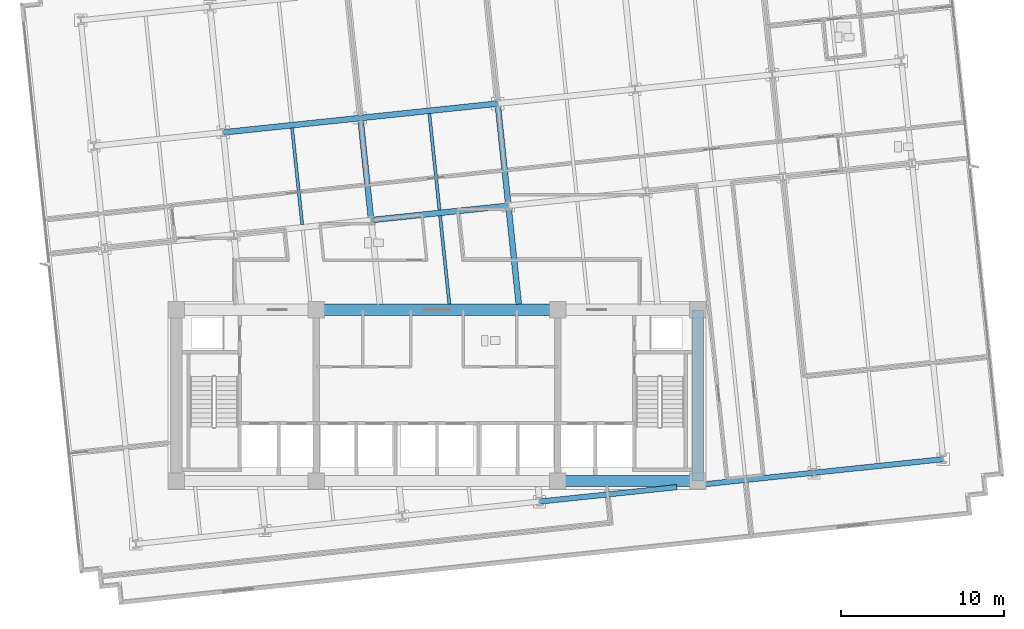
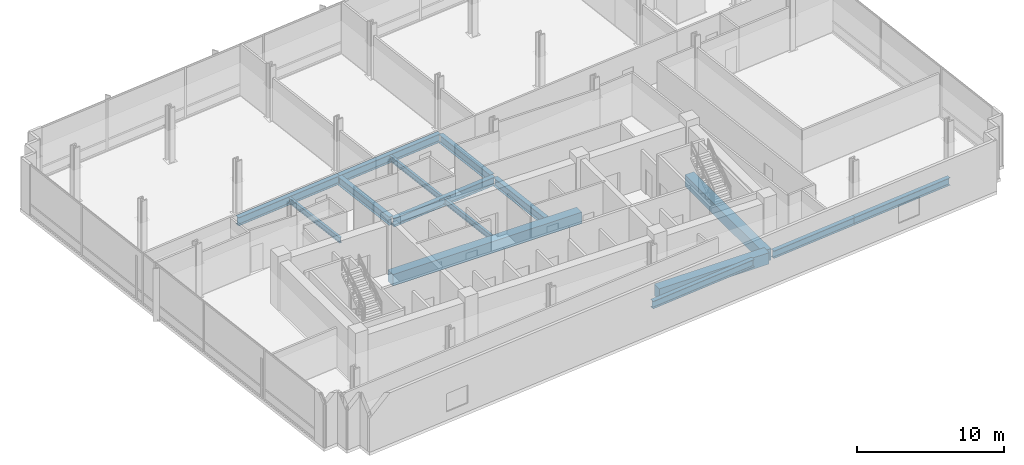
# One storey, part 5 of 20: 15 beams.
"""IFC4 building model written with IfcOpenShell, lengths in metres."""

from ifc_helpers import new_model, si_unit, direction, frame, origin, origin_2d, place, context, subcontext, project, spatial, rectangle, i_section, extrude, material, material_profile, profile_set, type_object, element, save


model = new_model("IFC4")

# Units and contexts
model_context = context("Model", 3, precision=1e-05, world=origin(), true_north=direction((0.0, 1.0)))
body_context = subcontext(model_context, "Body", "Model", "MODEL_VIEW")
ifc_project = project(units=[si_unit("LENGTHUNIT", "METRE"), si_unit("AREAUNIT", "SQUARE_METRE"), si_unit("VOLUMEUNIT", "CUBIC_METRE"), si_unit("PLANEANGLEUNIT", "RADIAN"), si_unit("MASSUNIT", "GRAM", prefix="KILO")], contexts=[model_context])

# Site, building, storey
site_placement = place(None, origin())
site = spatial("IfcSite", under=ifc_project, at=site_placement, CompositionType="ELEMENT")
building_placement = place(site_placement, origin())
building = spatial("IfcBuilding", under=site, at=building_placement, Name="Solmavex Isthmus Hotel", CompositionType="ELEMENT")
storey_placement = place(building_placement, frame((0.0, 0.0, 101.85009765625)))
storey = spatial("IfcBuildingStorey", under=building, at=storey_placement, Name="L27", CompositionType="ELEMENT", Elevation=101.85009765625)

# Beams
ifc_material_1 = material(Name="Steel ASTM A992 Grade 50", Category="steel")
ifc_material_profile_1 = material_profile(ifc_material_1, i_section(OverallWidth=0.354736328125, OverallDepth=0.695556640625, WebThickness=0.015380859375, FlangeThickness=0.02490234375, FilletRadius=0.017822265625, at=origin_2d()), Name="W27X146")
ifc_profile_set_1 = profile_set([ifc_material_profile_1], Name="Steel ASTM A992 Grade 50")
beam_type_1 = type_object("IfcBeamType", Name="BM-BG-W27X146", PredefinedType="BEAM", material=ifc_profile_set_1)
beam_1_placement = place(storey_placement, frame((-4.0390625, 3.003662109375, -0.60791015625), z_axis=(0.994523767887, 0.104510645909, 0.0), x_axis=(-0.104510645909, 0.994523767887, 0.0)))
element("IfcBeam", 1, at=beam_1_placement, inside=storey, type_object=beam_type_1, Name="Floor Girder L27-UG09", PredefinedType="BEAM", context=body_context, shape_type="SweptSolid", body=[
    extrude(i_section(OverallWidth=0.354736328125, OverallDepth=0.695556640625, WebThickness=0.015380859375, FlangeThickness=0.02490234375, FilletRadius=0.017822265625, at=origin_2d()), origin(), (0.0, 0.0, 1.0), 8.4658203125),
])
for number, where, z_axis, x_axis, name in (
    (2, (-13.1171875, 8.382080078125, -0.60791015625), (0.994521085209, 0.104536171134, 0.0), (-0.104536171134, 0.994521085209, 0.0), "Floor Girder L27-UG14"),
    (3, (-4.697509765625, 9.26708984375, -0.60791015625), (0.994521085209, 0.104536171134, 0.0), (-0.104536171134, 0.994521085209, 0.0), "Floor Girder L27-UG15"),
):
    element("IfcBeam", number, at=place(storey_placement, frame(where, z_axis=z_axis, x_axis=x_axis)), inside=storey, type_object=beam_type_1, Name=name, PredefinedType="BEAM", context=body_context, shape_type="SweptSolid", body=[
        extrude(i_section(OverallWidth=0.354736328125, OverallDepth=0.695556640625, WebThickness=0.015380859375, FlangeThickness=0.02490234375, FilletRadius=0.017822265625, at=origin_2d()), origin(), (0.0, 0.0, 1.0), 8.466064453125),
    ])
beam_2_placement = place(storey_placement, frame((-4.0576171875, 3.179931640625, -0.60791015625), z_axis=(-0.104545790518, 0.994520074048, 0.0), x_axis=(-0.994520074048, -0.104545790518, 0.0)))
element("IfcBeam", 4, at=beam_2_placement, inside=storey, type_object=beam_type_1, Name="Floor Beam L27-VG34", PredefinedType="BEAM", context=body_context, shape_type="SweptSolid", body=[
    extrude(i_section(OverallWidth=0.354736328125, OverallDepth=0.695556640625, WebThickness=0.015380859375, FlangeThickness=0.02490234375, FilletRadius=0.017822265625, at=origin_2d()), origin(), (0.0, 0.0, 1.0), 5.943115234375),
])
beam_3_placement = place(storey_placement, frame((5.01513671875, -2.14990234375, -0.60791015625), z_axis=(-0.104542482388, 0.994520421799, 0.0), x_axis=(-0.994520421799, -0.104542482388, 0.0)))
element("IfcBeam", 5, at=beam_3_placement, inside=storey, type_object=beam_type_1, Name="Floor Beam L27-VG37", PredefinedType="BEAM", context=body_context, shape_type="SweptSolid", body=[
    extrude(i_section(OverallWidth=0.354736328125, OverallDepth=0.695556640625, WebThickness=0.015380859375, FlangeThickness=0.02490234375, FilletRadius=0.017822265625, at=origin_2d()), origin(), (0.0, 0.0, 1.0), 5.894287109375),
])
beam_4_placement = place(storey_placement, frame((4.362060546875, 4.06494140625, -0.60791015625), z_axis=(-0.104545790518, 0.994520074048, 0.0), x_axis=(-0.994520074048, -0.104545790518, 0.0)))
element("IfcBeam", 6, at=beam_4_placement, inside=storey, type_object=beam_type_1, Name="Floor Beam L27-VG38", PredefinedType="BEAM", context=body_context, shape_type="SweptSolid", body=[
    extrude(i_section(OverallWidth=0.354736328125, OverallDepth=0.695556640625, WebThickness=0.015380859375, FlangeThickness=0.02490234375, FilletRadius=0.017822265625, at=origin_2d()), origin(), (0.0, 0.0, 1.0), 5.943115234375),
])
ifc_material_profile_2 = material_profile(ifc_material_1, i_section(OverallWidth=0.1904296875, OverallDepth=0.456787109375, WebThickness=0.009033203125, FlangeThickness=0.014404296875, FilletRadius=0.0126953125, at=origin_2d()), Name="W18X50")
ifc_profile_set_2 = profile_set([ifc_material_profile_2], Name="Steel ASTM A992 Grade 50")
beam_type_2 = type_object("IfcBeamType", Name="BM-BJ-W18X50", PredefinedType="JOIST", material=ifc_profile_set_2)
beam_5_placement = place(storey_placement, frame((-8.267578125, 2.737548828125, -0.488525390625), z_axis=(-0.104505160346, 0.994524344328, 0.0), x_axis=(-0.994524344328, -0.104505160346, 0.0)))
element("IfcBeam", 7, at=beam_5_placement, inside=storey, type_object=beam_type_2, Name="Secondary Floor Joist L27-J07", PredefinedType="JOIST", context=body_context, shape_type="SweptSolid", body=[
    extrude(i_section(OverallWidth=0.1904296875, OverallDepth=0.456787109375, WebThickness=0.009033203125, FlangeThickness=0.014404296875, FilletRadius=0.0126953125, at=origin_2d()), origin(), (0.0, 0.0, 1.0), 5.943115234375),
])
beam_6_placement = place(storey_placement, frame((0.7587890625, -2.14990234375, -0.488525390625), z_axis=(-0.104523862956, 0.99452237887, 0.0), x_axis=(-0.99452237887, -0.104523862956, 0.0)))
element("IfcBeam", 8, at=beam_6_placement, inside=storey, type_object=beam_type_2, Name="Secondary Floor Joist L27-J10", PredefinedType="JOIST", context=body_context, shape_type="SweptSolid", body=[
    extrude(i_section(OverallWidth=0.1904296875, OverallDepth=0.456787109375, WebThickness=0.009033203125, FlangeThickness=0.014404296875, FilletRadius=0.0126953125, at=origin_2d()), origin(), (0.0, 0.0, 1.0), 5.44921875),
])
beam_7_placement = place(storey_placement, frame((0.152099609375, 3.62255859375, -0.488525390625), z_axis=(-0.104505160346, 0.994524344328, 0.0), x_axis=(-0.994524344328, -0.104505160346, 0.0)))
element("IfcBeam", 9, at=beam_7_placement, inside=storey, type_object=beam_type_2, Name="Secondary Floor Joist L27-J11", PredefinedType="JOIST", context=body_context, shape_type="SweptSolid", body=[
    extrude(i_section(OverallWidth=0.1904296875, OverallDepth=0.456787109375, WebThickness=0.009033203125, FlangeThickness=0.014404296875, FilletRadius=0.0126953125, at=origin_2d()), origin(), (0.0, 0.0, 1.0), 5.943115234375),
])
ifc_material_2 = material(Name="Concrete C60/75", Category="concrete")
ifc_material_profile_3 = material_profile(ifc_material_2, rectangle(XDim=0.699951171875, YDim=0.949951171875, at=origin_2d()), Name="RC700X950")
ifc_profile_set_3 = profile_set([ifc_material_profile_3], Name="Concrete C60/75")
beam_type_3 = type_object("IfcBeamType", Name="BM-CB-700X950", PredefinedType="BEAM", material=ifc_profile_set_3)
beam_8_placement = place(storey_placement, frame((7.39990234375, -13.0, -0.735107421875), z_axis=(1.0, 0.0, 0.0), x_axis=(0.0, 1.0, 0.0)))
element("IfcBeam", 10, at=beam_8_placement, inside=storey, type_object=beam_type_3, Name="Core Coupling Beam L27-CB3", PredefinedType="BEAM", context=body_context, shape_type="SweptSolid", body=[
    extrude(rectangle(XDim=0.699951171875, YDim=0.949951171875, at=origin_2d()), origin(), (0.0, 0.0, 1.0), 8.60009765625),
])
beam_9_placement = place(storey_placement, frame((-7.39990234375, -2.5, -0.735107421875), z_axis=(1.0, 0.0, 0.0), x_axis=(0.0, 1.0, 0.0)))
element("IfcBeam", 11, at=beam_9_placement, inside=storey, type_object=beam_type_3, Name="Core Coupling Beam L27-CB5", PredefinedType="BEAM", context=body_context, shape_type="SweptSolid", body=[
    extrude(rectangle(XDim=0.699951171875, YDim=0.949951171875, at=origin_2d()), origin(), (0.0, 0.0, 1.0), 14.7998046875),
])
beam_10_placement = place(storey_placement, frame((16.0, -13.0, -0.735107421875), z_axis=(0.0, 1.0, 0.0), x_axis=(-1.0, 0.0, 0.0)))
element("IfcBeam", 12, at=beam_10_placement, inside=storey, type_object=beam_type_3, Name="Core Coupling Beam L27-CB8", PredefinedType="BEAM", context=body_context, shape_type="SweptSolid", body=[
    extrude(rectangle(XDim=0.699951171875, YDim=0.949951171875, at=origin_2d()), origin(), (0.0, 0.0, 1.0), 10.5),
])
ifc_material_profile_4 = material_profile(ifc_material_1, i_section(OverallWidth=0.326416015625, OverallDepth=0.621826171875, WebThickness=0.015380859375, FlangeThickness=0.0244140625, FilletRadius=0.01513671875, at=origin_2d()), Name="W24X131")
ifc_profile_set_4 = profile_set([ifc_material_profile_4], Name="Steel ASTM A992 Grade 50")
beam_type_4 = type_object("IfcBeamType", Name="BM-SP-W24X131", PredefinedType="SPANDREL", material=ifc_profile_set_4)
beam_11_placement = place(storey_placement, frame((6.2880859375, -14.261474609375, -0.571044921875), z_axis=(0.994524082861, 0.104507648572, 0.0), x_axis=(-0.104507648572, 0.994524082861, 0.0)))
element("IfcBeam", 13, at=beam_11_placement, inside=storey, type_object=beam_type_4, Name="Floor Girder L27-UG04", PredefinedType="SPANDREL", context=body_context, shape_type="SweptSolid", body=[
    extrude(i_section(OverallWidth=0.326416015625, OverallDepth=0.621826171875, WebThickness=0.015380859375, FlangeThickness=0.0244140625, FilletRadius=0.01513671875, at=origin_2d()), origin(), (0.0, 0.0, 1.0), 8.466064453125),
])
beam_12_placement = place(storey_placement, frame((16.35009765625, -13.2041015625, -0.571044921875), z_axis=(0.994520754079, 0.10453932134, 0.0), x_axis=(-0.10453932134, 0.994520754079, 0.0)))
element("IfcBeam", 14, at=beam_12_placement, inside=storey, type_object=beam_type_4, Name="Floor Girder L27-UG05", PredefinedType="SPANDREL", context=body_context, shape_type="SweptSolid", body=[
    extrude(i_section(OverallWidth=0.326416015625, OverallDepth=0.621826171875, WebThickness=0.015380859375, FlangeThickness=0.0244140625, FilletRadius=0.01513671875, at=origin_2d()), origin(), (0.0, 0.0, 1.0), 6.814697265625),
])
beam_13_placement = place(storey_placement, frame((23.12744140625, -12.49169921875, -0.571044921875), z_axis=(0.994520217478, 0.10454442609, 0.0), x_axis=(-0.10454442609, 0.994520217478, 0.0)))
element("IfcBeam", 15, at=beam_13_placement, inside=storey, type_object=beam_type_4, Name="Floor Girder L27-UG06", PredefinedType="SPANDREL", context=body_context, shape_type="SweptSolid", body=[
    extrude(i_section(OverallWidth=0.326416015625, OverallDepth=0.621826171875, WebThickness=0.015380859375, FlangeThickness=0.0244140625, FilletRadius=0.01513671875, at=origin_2d()), origin(), (0.0, 0.0, 1.0), 7.968017578125),
])

save(model, "model.ifc")
